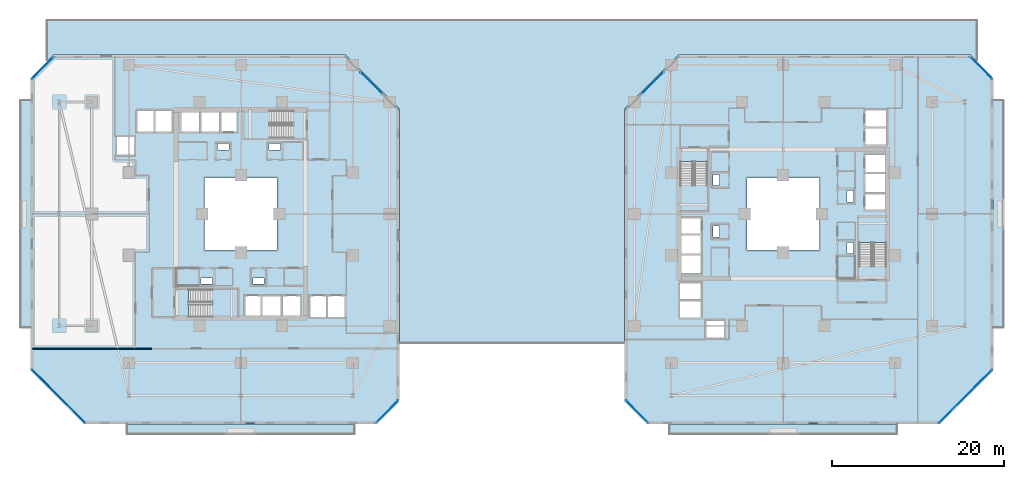
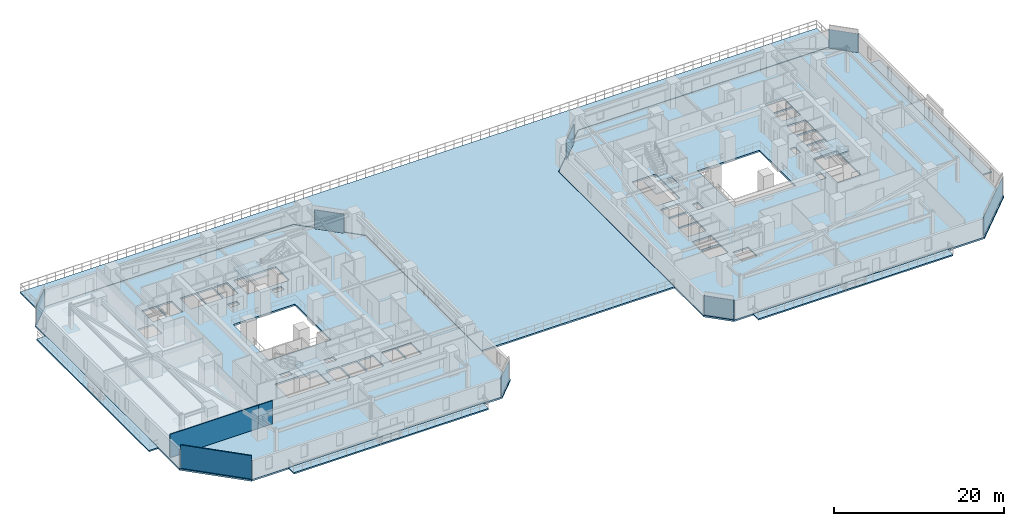
# One storey, part 17 of 34: 11 slabs, 8 plates, 3 walls, 12 elements without a shape of their own.
"""IFC4 building model written with IfcOpenShell, lengths in metres."""

from ifc_helpers import new_model, si_unit, direction, frame, frame_2d, origin, origin_2d, place, context, subcontext, project, spatial, polyline, rectangle, outline, extrude, material, layer, layer_set, type_object, element, aggregate, save


model = new_model("IFC4")

# Units and contexts
model_context = context("Model", 3, precision=1e-05, world=origin(), true_north=direction((0.0, 1.0)))
body_context = subcontext(model_context, "Body", "Model", "MODEL_VIEW")
ifc_project = project(units=[si_unit("LENGTHUNIT", "METRE"), si_unit("AREAUNIT", "SQUARE_METRE"), si_unit("VOLUMEUNIT", "CUBIC_METRE"), si_unit("PLANEANGLEUNIT", "RADIAN"), si_unit("MASSUNIT", "GRAM", prefix="KILO")], contexts=[model_context])

# Site, building, storey
site_placement = place(None, origin())
site = spatial("IfcSite", under=ifc_project, at=site_placement, CompositionType="ELEMENT")
building_placement = place(site_placement, origin())
building = spatial("IfcBuilding", under=site, at=building_placement, Name="Thornwick Lancets Civic Towers", CompositionType="ELEMENT")
storey_placement = place(building_placement, frame((0.0, 0.0, 27.89990234375)))
storey = spatial("IfcBuildingStorey", under=building, at=storey_placement, Name="L06", CompositionType="ELEMENT", Elevation=27.89990234375)

# Curtain wall, plate
ifc_material_1 = material(Name="Low-zone chamfered-corner unitised glass curtain wall", Category="glass")
curtain_wall_type = type_object("IfcCurtainWallType", Name="CW_SYS_03", PredefinedType="NOTDEFINED", material=ifc_material_1)
curtain_wall_1_placement = place(storey_placement, origin())
curtain_wall_1 = element("IfcCurtainWall", 1, at=curtain_wall_1_placement, inside=storey, type_object=curtain_wall_type, Name="L06 Curtain Wall CW-L06-A-E1", PredefinedType="NOTDEFINED")
ifc_material_2 = material(Name="Extruded buff terracotta spandrel panel", Category="masonry")
ifc_layer_1 = layer(ifc_material_2, 0.044921875, Name="Extruded buff terracotta spandrel panel")
ifc_layer_set_1 = layer_set([ifc_layer_1], Name="Extruded buff terracotta spandrel panel")
plate_type = type_object("IfcPlateType", Name="CW_PNL_TERRA", PredefinedType="CURTAIN_PANEL", material=ifc_layer_set_1)
plate_1_placement = place(storey_placement, frame((42.472900390625, 4.027099609375, 0.0), z_axis=(0.0, 0.0, 1.0), x_axis=(0.707106781187, 0.707106781187, 0.0)))
plate_1 = element("IfcPlate", 2, at=plate_1_placement, type_object=plate_type, Name="CW-L06-A-E1 Panel 0", PredefinedType="CURTAIN_PANEL", context=body_context, shape_type="SweptSolid", body=[
    extrude(rectangle(XDim=3.64990234375, YDim=0.044921875, at=origin_2d()), origin(), (0.0, 0.0, 1.0), 2.699951171875),
])
aggregate(curtain_wall_1, [plate_1])

curtain_wall_2_placement = place(storey_placement, origin())
curtain_wall_2 = element("IfcCurtainWall", 3, at=curtain_wall_2_placement, inside=storey, type_object=curtain_wall_type, Name="L06 Curtain Wall CW-L06-A-E3", PredefinedType="NOTDEFINED")
plate_2_placement = place(storey_placement, frame((40.674560546875, 42.174560546875, 0.0), z_axis=(0.0, 0.0, 1.0), x_axis=(-0.707106781187, 0.707106781187, 0.0)))
plate_2 = element("IfcPlate", 4, at=plate_2_placement, type_object=plate_type, Name="CW-L06-A-E3 Panel 0", PredefinedType="CURTAIN_PANEL", context=body_context, shape_type="SweptSolid", body=[
    extrude(rectangle(XDim=3.5771484375, YDim=0.044921875, at=origin_2d()), origin(), (0.0, 0.0, 1.0), 2.699951171875),
])
aggregate(curtain_wall_2, [plate_2])

curtain_wall_3_placement = place(storey_placement, origin())
curtain_wall_3 = element("IfcCurtainWall", 5, at=curtain_wall_3_placement, inside=storey, type_object=curtain_wall_type, Name="L06 Curtain Wall CW-L06-A-E5", PredefinedType="NOTDEFINED")
plate_3_placement = place(storey_placement, frame((2.527099609375, 43.972900390625, 0.0), z_axis=(0.0, 0.0, 1.0), x_axis=(-0.707106781187, -0.707106781187, 0.0)))
plate_3 = element("IfcPlate", 6, at=plate_3_placement, type_object=plate_type, Name="CW-L06-A-E5 Panel 0", PredefinedType="CURTAIN_PANEL", context=body_context, shape_type="SweptSolid", body=[
    extrude(rectangle(XDim=3.64990234375, YDim=0.044921875, at=origin_2d()), origin(), (0.0, 0.0, 1.0), 2.699951171875),
])
aggregate(curtain_wall_3, [plate_3])

curtain_wall_4_placement = place(storey_placement, origin())
curtain_wall_4 = element("IfcCurtainWall", 7, at=curtain_wall_4_placement, inside=storey, type_object=curtain_wall_type, Name="L06 Curtain Wall CW-L06-A-E7", PredefinedType="NOTDEFINED")
plate_4_placement = place(storey_placement, frame((4.325439453125, 5.825439453125, 0.0), z_axis=(0.0, 0.0, 1.0), x_axis=(0.707106781187, -0.707106781187, 0.0)))
plate_4 = element("IfcPlate", 8, at=plate_4_placement, type_object=plate_type, Name="CW-L06-A-E7 Panel 0", PredefinedType="CURTAIN_PANEL", context=body_context, shape_type="SweptSolid", body=[
    extrude(rectangle(XDim=8.7041015625, YDim=0.044921875, at=origin_2d()), origin(), (0.0, 0.0, 1.0), 2.699951171875),
])
aggregate(curtain_wall_4, [plate_4])

curtain_wall_5_placement = place(storey_placement, origin())
curtain_wall_5 = element("IfcCurtainWall", 9, at=curtain_wall_5_placement, inside=storey, type_object=curtain_wall_type, Name="L06 Curtain Wall CW-L06-B-E1", PredefinedType="NOTDEFINED")
plate_5_placement = place(storey_placement, frame((109.674560546875, 5.825439453125, 0.0), z_axis=(0.0, 0.0, 1.0), x_axis=(0.707106781187, 0.707106781187, 0.0)))
plate_5 = element("IfcPlate", 10, at=plate_5_placement, type_object=plate_type, Name="CW-L06-B-E1 Panel 0", PredefinedType="CURTAIN_PANEL", context=body_context, shape_type="SweptSolid", body=[
    extrude(rectangle(XDim=8.7041015625, YDim=0.044921875, at=origin_2d()), origin(), (0.0, 0.0, 1.0), 2.699951171875),
])
aggregate(curtain_wall_5, [plate_5])

curtain_wall_6_placement = place(storey_placement, origin())
curtain_wall_6 = element("IfcCurtainWall", 11, at=curtain_wall_6_placement, inside=storey, type_object=curtain_wall_type, Name="L06 Curtain Wall CW-L06-B-E3", PredefinedType="NOTDEFINED")
plate_6_placement = place(storey_placement, frame((111.472900390625, 43.972900390625, 0.0), z_axis=(0.0, 0.0, 1.0), x_axis=(-0.707106781187, 0.707106781187, 0.0)))
plate_6 = element("IfcPlate", 12, at=plate_6_placement, type_object=plate_type, Name="CW-L06-B-E3 Panel 0", PredefinedType="CURTAIN_PANEL", context=body_context, shape_type="SweptSolid", body=[
    extrude(rectangle(XDim=3.64990234375, YDim=0.044921875, at=origin_2d()), origin(), (0.0, 0.0, 1.0), 2.699951171875),
])
aggregate(curtain_wall_6, [plate_6])

curtain_wall_7_placement = place(storey_placement, origin())
curtain_wall_7 = element("IfcCurtainWall", 13, at=curtain_wall_7_placement, inside=storey, type_object=curtain_wall_type, Name="L06 Curtain Wall CW-L06-B-E5", PredefinedType="NOTDEFINED")
plate_7_placement = place(storey_placement, frame((73.325439453125, 42.174560546875, 0.0), z_axis=(0.0, 0.0, 1.0), x_axis=(-0.707106781187, -0.707106781187, 0.0)))
plate_7 = element("IfcPlate", 14, at=plate_7_placement, type_object=plate_type, Name="CW-L06-B-E5 Panel 0", PredefinedType="CURTAIN_PANEL", context=body_context, shape_type="SweptSolid", body=[
    extrude(rectangle(XDim=3.5771484375, YDim=0.044921875, at=origin_2d()), origin(), (0.0, 0.0, 1.0), 2.699951171875),
])
aggregate(curtain_wall_7, [plate_7])

curtain_wall_8_placement = place(storey_placement, origin())
curtain_wall_8 = element("IfcCurtainWall", 15, at=curtain_wall_8_placement, inside=storey, type_object=curtain_wall_type, Name="L06 Curtain Wall CW-L06-B-E7", PredefinedType="NOTDEFINED")
plate_8_placement = place(storey_placement, frame((71.527099609375, 4.027099609375, 0.0), z_axis=(0.0, 0.0, 1.0), x_axis=(0.707106781187, -0.707106781187, 0.0)))
plate_8 = element("IfcPlate", 16, at=plate_8_placement, type_object=plate_type, Name="CW-L06-B-E7 Panel 0", PredefinedType="CURTAIN_PANEL", context=body_context, shape_type="SweptSolid", body=[
    extrude(rectangle(XDim=3.64990234375, YDim=0.044921875, at=origin_2d()), origin(), (0.0, 0.0, 1.0), 2.699951171875),
])
aggregate(curtain_wall_8, [plate_8])

# Slabs
ifc_material_3 = material(Name="Post-tensioned concrete C40/50", Category="concrete")
ifc_layer_2 = layer(ifc_material_3, 0.199951171875, Name="Post-tensioned concrete C40/50")
ifc_layer_set_2 = layer_set([ifc_layer_2], Name="Post-tensioned concrete C40/50")
slab_type_1 = type_object("IfcSlabType", Name="SLAB_BALCONY_200", PredefinedType="FLOOR", material=ifc_layer_set_2)
slab_1_placement = place(storey_placement, frame((0.0, 0.0, -0.199951171875)))
element("IfcSlab", 17, at=slab_1_placement, inside=storey, type_object=slab_type_1, Name="L06 Tower A Planted Balcony Slab W", PredefinedType="FLOOR", context=body_context, shape_type="SweptSolid", body=[
    extrude(outline(polyline([(-0.14990234375, 13.800048828125), (1.10009765625, 13.800048828125), (1.10009765625, 40.199951171875), (-0.14990234375, 40.199951171875), (-0.14990234375, 13.800048828125)])), origin(), (0.0, 0.0, 1.0), 0.199951171875),
])
slab_2_placement = place(storey_placement, frame((0.0, 0.0, -0.199951171875)))
element("IfcSlab", 18, at=slab_2_placement, inside=storey, type_object=slab_type_1, Name="L06 Tower A Planted Balcony Slab S", PredefinedType="FLOOR", context=body_context, shape_type="SweptSolid", body=[
    extrude(outline(polyline([(12.300048828125, 1.35009765625), (38.699951171875, 1.35009765625), (38.699951171875, 2.60009765625), (12.300048828125, 2.60009765625), (12.300048828125, 1.35009765625)])), origin(), (0.0, 0.0, 1.0), 0.199951171875),
])
slab_3_placement = place(storey_placement, frame((0.0, 0.0, -0.199951171875)))
element("IfcSlab", 19, at=slab_3_placement, inside=storey, type_object=slab_type_1, Name="L06 Tower B Planted Balcony Slab E", PredefinedType="FLOOR", context=body_context, shape_type="SweptSolid", body=[
    extrude(outline(polyline([(112.89990234375, 13.800048828125), (114.14990234375, 13.800048828125), (114.14990234375, 40.199951171875), (112.89990234375, 40.199951171875), (112.89990234375, 13.800048828125)])), origin(), (0.0, 0.0, 1.0), 0.199951171875),
])
slab_4_placement = place(storey_placement, frame((0.0, 0.0, -0.199951171875)))
element("IfcSlab", 20, at=slab_4_placement, inside=storey, type_object=slab_type_1, Name="L06 Tower B Planted Balcony Slab S", PredefinedType="FLOOR", context=body_context, shape_type="SweptSolid", body=[
    extrude(outline(polyline([(75.300048828125, 1.35009765625), (101.699951171875, 1.35009765625), (101.699951171875, 2.60009765625), (75.300048828125, 2.60009765625), (75.300048828125, 1.35009765625)])), origin(), (0.0, 0.0, 1.0), 0.199951171875),
])

# Stair, slab
ifc_material_4 = material(Name="Concrete C40/50", Category="concrete")
stair_type = type_object("IfcStairType", Name="STAIR_DL_3600", PredefinedType="HALF_TURN_STAIR", material=ifc_material_4)
stair_1_placement = place(storey_placement, origin())
stair_1 = element("IfcStair", 21, at=stair_1_placement, inside=storey, type_object=stair_type, Name="L06 Tower A South Exit Stair ST-A1", PredefinedType="HALF_TURN_STAIR")
ifc_layer_3 = layer(ifc_material_4, 0.25, Name="Concrete C40/50")
ifc_layer_set_3 = layer_set([ifc_layer_3], Name="Concrete C40/50")
slab_type_2 = type_object("IfcSlabType", Name="SLAB_LANDING_200", PredefinedType="LANDING", material=ifc_layer_set_3)
slab_5_placement = place(storey_placement, frame((0.0, 0.0, 1.60302734375)))
slab_5 = element("IfcSlab", 22, at=slab_5_placement, type_object=slab_type_2, Name="ST-A1 landing 1", PredefinedType="LANDING", context=body_context, shape_type="SweptSolid", body=[
    extrude(outline(polyline([(22.169921875, 14.93994140625), (25.14990234375, 14.93994140625), (25.14990234375, 18.260009765625), (22.169921875, 18.260009765625), (22.169921875, 14.93994140625)])), origin(), (0.0, 0.0, 1.0), 0.199951171875),
])
aggregate(stair_1, [slab_5])

stair_2_placement = place(storey_placement, origin())
stair_2 = element("IfcStair", 23, at=stair_2_placement, inside=storey, type_object=stair_type, Name="L06 Tower A North Exit Stair ST-A2", PredefinedType="HALF_TURN_STAIR")
slab_6_placement = place(storey_placement, frame((0.0, 0.0, 1.60302734375)))
slab_6 = element("IfcSlab", 24, at=slab_6_placement, type_object=slab_type_2, Name="ST-A2 landing 1", PredefinedType="LANDING", context=body_context, shape_type="SweptSolid", body=[
    extrude(outline(polyline([(28.830078125, 39.06005859375), (25.85009765625, 39.06005859375), (25.85009765625, 35.739990234375), (28.830078125, 35.739990234375), (28.830078125, 39.06005859375)])), origin(), (0.0, 0.0, 1.0), 0.199951171875),
])
aggregate(stair_2, [slab_6])

stair_3_placement = place(storey_placement, origin())
stair_3 = element("IfcStair", 25, at=stair_3_placement, inside=storey, type_object=stair_type, Name="L06 Tower B East Exit Stair ST-B1", PredefinedType="HALF_TURN_STAIR")
slab_7_placement = place(storey_placement, frame((0.0, 0.0, 1.60302734375)))
slab_7 = element("IfcSlab", 26, at=slab_7_placement, type_object=slab_type_2, Name="ST-B1 landing 1", PredefinedType="LANDING", context=body_context, shape_type="SweptSolid", body=[
    extrude(outline(polyline([(100.56005859375, 23.669921875), (100.56005859375, 26.64990234375), (97.239990234375, 26.64990234375), (97.239990234375, 23.669921875), (100.56005859375, 23.669921875)])), origin(), (0.0, 0.0, 1.0), 0.199951171875),
])
aggregate(stair_3, [slab_7])

stair_4_placement = place(storey_placement, origin())
stair_4 = element("IfcStair", 27, at=stair_4_placement, inside=storey, type_object=stair_type, Name="L06 Tower B West Exit Stair ST-B2", PredefinedType="HALF_TURN_STAIR")
slab_8_placement = place(storey_placement, frame((0.0, 0.0, 1.60302734375)))
slab_8 = element("IfcSlab", 28, at=slab_8_placement, type_object=slab_type_2, Name="ST-B2 landing 1", PredefinedType="LANDING", context=body_context, shape_type="SweptSolid", body=[
    extrude(outline(polyline([(76.43994140625, 30.330078125), (76.43994140625, 27.35009765625), (79.760009765625, 27.35009765625), (79.760009765625, 30.330078125), (76.43994140625, 30.330078125)])), origin(), (0.0, 0.0, 1.0), 0.199951171875),
])
aggregate(stair_4, [slab_8])

# Slabs
ifc_layer_4 = layer(ifc_material_3, 0.239990234375, Name="Post-tensioned concrete C40/50")
ifc_layer_set_4 = layer_set([ifc_layer_4], Name="Post-tensioned concrete C40/50")
slab_type_3 = type_object("IfcSlabType", Name="SLAB_PT_240", PredefinedType="FLOOR", material=ifc_layer_set_4)
slab_9_placement = place(storey_placement, frame((0.0, 0.0, -0.239990234375)))
element("IfcSlab", 29, at=slab_9_placement, inside=storey, type_object=slab_type_3, Name="L06 Tower A Floor Slab", PredefinedType="FLOOR", context=body_context, shape_type="SweptSolid", body=[
    extrude(outline(polyline([(7.300048828125, 2.60009765625), (41.300048828125, 2.60009765625), (43.89990234375, 5.199951171875), (43.89990234375, 39.199951171875), (37.699951171875, 45.39990234375), (3.699951171875, 45.39990234375), (1.10009765625, 42.800048828125), (1.10009765625, 8.800048828125), (7.300048828125, 2.60009765625)]), holes=[polyline([(21.300048828125, 22.800048828125), (29.699951171875, 22.800048828125), (29.699951171875, 31.199951171875), (21.300048828125, 31.199951171875), (21.300048828125, 22.800048828125)]), polyline([(19.429931640625, 15.0), (25.10009765625, 15.0), (25.10009765625, 18.199951171875), (19.429931640625, 18.199951171875), (19.429931640625, 15.0)]), polyline([(31.570068359375, 39.0), (25.89990234375, 39.0), (25.89990234375, 35.800048828125), (31.570068359375, 35.800048828125), (31.570068359375, 39.0)]), polyline([(26.0, 15.0), (27.800048828125, 15.0), (27.800048828125, 17.550048828125), (26.0, 17.550048828125), (26.0, 15.0)]), polyline([(28.0, 15.0), (30.14990234375, 15.0), (30.14990234375, 17.550048828125), (28.0, 17.550048828125), (28.0, 15.0)]), polyline([(30.35009765625, 15.0), (32.39990234375, 15.0), (32.39990234375, 17.550048828125), (30.35009765625, 17.550048828125), (30.35009765625, 15.0)]), polyline([(33.550048828125, 15.0), (35.449951171875, 15.0), (35.449951171875, 17.550048828125), (33.550048828125, 17.550048828125), (33.550048828125, 15.0)]), polyline([(35.60009765625, 15.0), (37.550048828125, 15.0), (37.550048828125, 17.550048828125), (35.60009765625, 17.550048828125), (35.60009765625, 15.0)]), polyline([(23.199951171875, 36.449951171875), (25.0, 36.449951171875), (25.0, 39.0), (23.199951171875, 39.0), (23.199951171875, 36.449951171875)]), polyline([(20.85009765625, 36.449951171875), (23.0, 36.449951171875), (23.0, 39.0), (20.85009765625, 39.0), (20.85009765625, 36.449951171875)]), polyline([(18.60009765625, 36.449951171875), (20.699951171875, 36.449951171875), (20.699951171875, 39.0), (18.60009765625, 39.0), (18.60009765625, 36.449951171875)]), polyline([(15.550048828125, 36.449951171875), (17.449951171875, 36.449951171875), (17.449951171875, 39.0), (15.550048828125, 39.0), (15.550048828125, 36.449951171875)]), polyline([(13.449951171875, 36.449951171875), (15.39990234375, 36.449951171875), (15.39990234375, 39.0), (13.449951171875, 39.0), (13.449951171875, 36.449951171875)]), polyline([(11.10009765625, 33.85009765625), (13.199951171875, 33.85009765625), (13.199951171875, 35.949951171875), (11.10009765625, 35.949951171875), (11.10009765625, 33.85009765625)]), polyline([(26.89990234375, 18.85009765625), (28.199951171875, 18.85009765625), (28.199951171875, 19.580078125), (26.89990234375, 19.580078125), (26.89990234375, 18.85009765625)]), polyline([(20.89990234375, 18.85009765625), (22.199951171875, 18.85009765625), (22.199951171875, 19.580078125), (20.89990234375, 19.580078125), (20.89990234375, 18.85009765625)]), polyline([(22.800048828125, 34.419921875), (24.10009765625, 34.419921875), (24.10009765625, 35.14990234375), (22.800048828125, 35.14990234375), (22.800048828125, 34.419921875)]), polyline([(28.800048828125, 34.419921875), (30.10009765625, 34.419921875), (30.10009765625, 35.14990234375), (28.800048828125, 35.14990234375), (28.800048828125, 34.419921875)])]), origin(), (0.0, 0.0, 1.0), 0.239990234375),
])
slab_10_placement = place(storey_placement, frame((0.0, 0.0, -0.239990234375)))
element("IfcSlab", 30, at=slab_10_placement, inside=storey, type_object=slab_type_3, Name="L06 Tower B Floor Slab", PredefinedType="FLOOR", context=body_context, shape_type="SweptSolid", body=[
    extrude(outline(polyline([(72.699951171875, 2.60009765625), (106.699951171875, 2.60009765625), (112.89990234375, 8.800048828125), (112.89990234375, 42.800048828125), (110.300048828125, 45.39990234375), (76.300048828125, 45.39990234375), (70.10009765625, 39.199951171875), (70.10009765625, 5.199951171875), (72.699951171875, 2.60009765625)]), holes=[polyline([(84.300048828125, 22.800048828125), (92.699951171875, 22.800048828125), (92.699951171875, 31.199951171875), (84.300048828125, 31.199951171875), (84.300048828125, 22.800048828125)]), polyline([(100.5, 20.929931640625), (100.5, 26.60009765625), (97.300048828125, 26.60009765625), (97.300048828125, 20.929931640625), (100.5, 20.929931640625)]), polyline([(76.5, 33.070068359375), (76.5, 27.39990234375), (79.699951171875, 27.39990234375), (79.699951171875, 33.070068359375), (76.5, 33.070068359375)]), polyline([(97.949951171875, 27.5), (100.5, 27.5), (100.5, 29.300048828125), (97.949951171875, 29.300048828125), (97.949951171875, 27.5)]), polyline([(97.949951171875, 29.5), (100.5, 29.5), (100.5, 31.64990234375), (97.949951171875, 31.64990234375), (97.949951171875, 29.5)]), polyline([(97.949951171875, 31.85009765625), (100.5, 31.85009765625), (100.5, 33.89990234375), (97.949951171875, 33.89990234375), (97.949951171875, 31.85009765625)]), polyline([(97.949951171875, 35.050048828125), (100.5, 35.050048828125), (100.5, 36.949951171875), (97.949951171875, 36.949951171875), (97.949951171875, 35.050048828125)]), polyline([(97.949951171875, 37.10009765625), (100.5, 37.10009765625), (100.5, 39.050048828125), (97.949951171875, 39.050048828125), (97.949951171875, 37.10009765625)]), polyline([(76.5, 24.699951171875), (79.050048828125, 24.699951171875), (79.050048828125, 26.5), (76.5, 26.5), (76.5, 24.699951171875)]), polyline([(76.5, 22.35009765625), (79.050048828125, 22.35009765625), (79.050048828125, 24.5), (76.5, 24.5), (76.5, 22.35009765625)]), polyline([(76.5, 20.10009765625), (79.050048828125, 20.10009765625), (79.050048828125, 22.199951171875), (76.5, 22.199951171875), (76.5, 20.10009765625)]), polyline([(76.5, 17.050048828125), (79.050048828125, 17.050048828125), (79.050048828125, 18.949951171875), (76.5, 18.949951171875), (76.5, 17.050048828125)]), polyline([(76.5, 14.949951171875), (79.050048828125, 14.949951171875), (79.050048828125, 16.89990234375), (76.5, 16.89990234375), (76.5, 14.949951171875)]), polyline([(79.550048828125, 12.60009765625), (81.64990234375, 12.60009765625), (81.64990234375, 14.699951171875), (79.550048828125, 14.699951171875), (79.550048828125, 12.60009765625)]), polyline([(95.919921875, 28.39990234375), (96.64990234375, 28.39990234375), (96.64990234375, 29.699951171875), (95.919921875, 29.699951171875), (95.919921875, 28.39990234375)]), polyline([(95.919921875, 22.39990234375), (96.64990234375, 22.39990234375), (96.64990234375, 23.699951171875), (95.919921875, 23.699951171875), (95.919921875, 22.39990234375)]), polyline([(80.35009765625, 24.300048828125), (81.080078125, 24.300048828125), (81.080078125, 25.60009765625), (80.35009765625, 25.60009765625), (80.35009765625, 24.300048828125)]), polyline([(80.35009765625, 30.300048828125), (81.080078125, 30.300048828125), (81.080078125, 31.60009765625), (80.35009765625, 31.60009765625), (80.35009765625, 30.300048828125)])]), origin(), (0.0, 0.0, 1.0), 0.239990234375),
])
ifc_layer_5 = layer(ifc_material_4, 0.219970703125, Name="Concrete C40/50")
ifc_layer_set_5 = layer_set([ifc_layer_5], Name="Concrete C40/50")
slab_type_4 = type_object("IfcSlabType", Name="SLAB_TERRACE_220", PredefinedType="FLOOR", material=ifc_layer_set_5)
slab_11_placement = place(storey_placement, frame((0.0, 0.0, -0.219970703125)))
element("IfcSlab", 31, at=slab_11_placement, inside=storey, type_object=slab_type_4, Name="L06 Podium Roof Garden Terrace 1", PredefinedType="FLOOR", context=body_context, shape_type="SweptSolid", body=[
    extrude(outline(polyline([(111.0, 49.5), (111.0, 44.770751953125), (110.33544921875, 45.435302734375), (110.331787109375, 45.438720703125), (110.327880859375, 45.441650390625), (110.323486328125, 45.444091796875), (110.319091796875, 45.4462890625), (110.314453125, 45.44775390625), (110.309814453125, 45.448974609375), (110.304931640625, 45.44970703125), (110.300048828125, 45.449951171875), (76.300048828125, 45.449951171875), (76.295166015625, 45.44970703125), (76.290283203125, 45.448974609375), (76.285400390625, 45.44775390625), (76.281005859375, 45.4462890625), (76.2763671875, 45.444091796875), (76.272216796875, 45.441650390625), (76.268310546875, 45.438720703125), (76.2646484375, 45.435302734375), (70.064697265625, 39.2353515625), (70.061279296875, 39.231689453125), (70.058349609375, 39.227783203125), (70.055908203125, 39.2236328125), (70.0537109375, 39.218994140625), (70.05224609375, 39.214599609375), (70.051025390625, 39.209716796875), (70.05029296875, 39.204833984375), (70.050048828125, 39.199951171875), (70.050048828125, 12.0), (43.949951171875, 12.0), (43.949951171875, 39.199951171875), (43.94970703125, 39.204833984375), (43.948974609375, 39.209716796875), (43.94775390625, 39.214599609375), (43.9462890625, 39.218994140625), (43.944091796875, 39.2236328125), (43.941650390625, 39.227783203125), (43.938720703125, 39.231689453125), (43.935302734375, 39.2353515625), (37.7353515625, 45.435302734375), (37.731689453125, 45.438720703125), (37.727783203125, 45.441650390625), (37.7236328125, 45.444091796875), (37.718994140625, 45.4462890625), (37.714599609375, 45.44775390625), (37.709716796875, 45.448974609375), (37.704833984375, 45.44970703125), (37.699951171875, 45.449951171875), (3.699951171875, 45.449951171875), (3.695068359375, 45.44970703125), (3.690185546875, 45.448974609375), (3.685546875, 45.44775390625), (3.680908203125, 45.4462890625), (3.676513671875, 45.444091796875), (3.672119140625, 45.441650390625), (3.668212890625, 45.438720703125), (3.66455078125, 45.435302734375), (3.0, 44.770751953125), (3.0, 49.5), (111.0, 49.5)])), origin(), (0.0, 0.0, 1.0), 0.219970703125),
])

# Walls
ifc_material_5 = material(Name="Acoustic gypsum board partition")
ifc_layer_6 = layer(ifc_material_5, 0.1201171875, Name="Acoustic gypsum board partition")
ifc_layer_set_6 = layer_set([ifc_layer_6], Name="Acoustic gypsum board partition")
wall_type = type_object("IfcWallType", Name="WALL_PART_120", PredefinedType="PARTITIONING", material=ifc_layer_set_6)
wall_1_placement = place(storey_placement, frame((13.25, 11.35009765625, 0.0), z_axis=(0.0, 0.0, 1.0), x_axis=(-1.0, 0.0, 0.0)))
element("IfcWall", 32, at=wall_1_placement, inside=storey, type_object=wall_type, Name="L06 Partition L06-A-W1 E4", PredefinedType="PARTITIONING", context=body_context, shape_type="SweptSolid", body=[
    extrude(rectangle(XDim=11.969970703125, YDim=0.1201171875, at=frame_2d((5.98486328125, 0.0))), origin(), (0.0, 0.0, 1.0), 3.340087890625),
])
wall_2_placement = place(storey_placement, frame((7.37451171875, 2.780029296875, 0.0), z_axis=(0.0, 0.0, 1.0), x_axis=(-0.707106781187, 0.707106781187, 0.0)))
element("IfcWall", 33, at=wall_2_placement, inside=storey, type_object=wall_type, Name="L06 Partition L06-A-S-OFF E2", PredefinedType="PARTITIONING", context=body_context, shape_type="SweptSolid", body=[
    extrude(rectangle(XDim=8.618896484375, YDim=0.1201171875, at=frame_2d((4.3095703125, 0.0))), origin(), (0.0, 0.0, 1.0), 3.340087890625),
])
wall_3_placement = place(storey_placement, frame((13.25, 11.35009765625, 0.0), z_axis=(0.0, 0.0, 1.0), x_axis=(1.0, 0.0, 0.0)))
element("IfcWall", 34, at=wall_3_placement, inside=storey, type_object=wall_type, Name="L06 Partition L06-A-S-OFF E5", PredefinedType="PARTITIONING", context=body_context, shape_type="SweptSolid", body=[
    extrude(rectangle(XDim=1.89990234375, YDim=0.1201171875, at=frame_2d((0.949951171875, 0.0))), origin(), (0.0, 0.0, 1.0), 3.340087890625),
])

save(model, "model.ifc")
